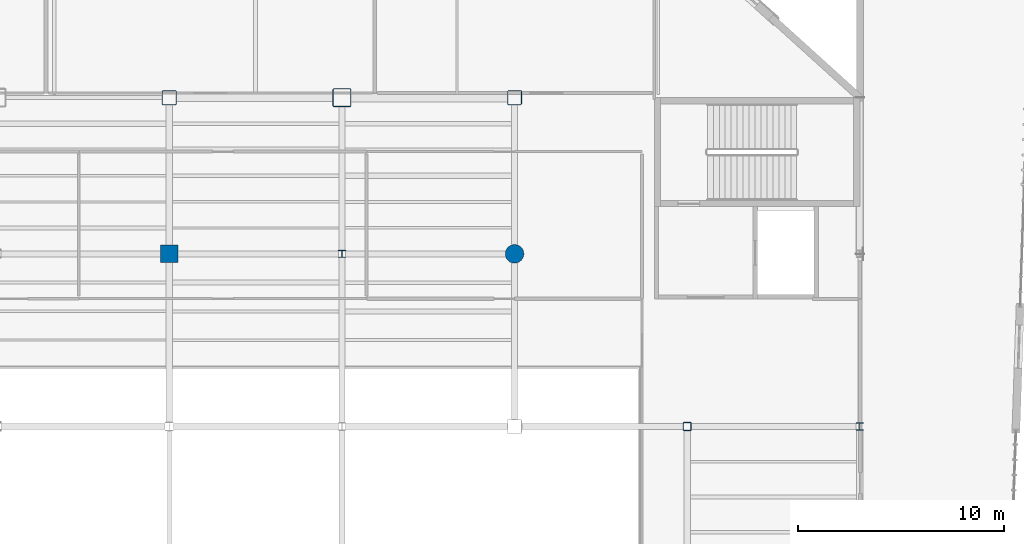
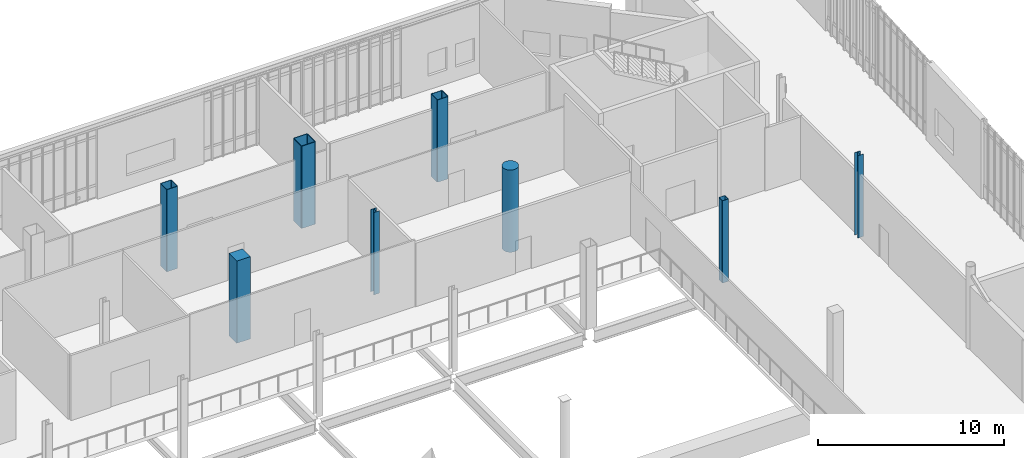
# One storey, part 10 of 127: 8 columns.
"""IFC4 building model written with IfcOpenShell, lengths in metres."""

from ifc_helpers import new_model, si_unit, direction, frame, origin, origin_2d, place, context, subcontext, project, spatial, rectangle, hollow_rectangle, circle, i_section, extrude, material, material_profile, profile_set, type_object, element, save


model = new_model("IFC4")

# Units and contexts
model_context = context("Model", 3, precision=1e-05, world=origin(), true_north=direction((0.0, 1.0)))
body_context = subcontext(model_context, "Body", "Model", "MODEL_VIEW")
ifc_project = project(units=[si_unit("LENGTHUNIT", "METRE"), si_unit("AREAUNIT", "SQUARE_METRE"), si_unit("VOLUMEUNIT", "CUBIC_METRE"), si_unit("PLANEANGLEUNIT", "RADIAN"), si_unit("MASSUNIT", "GRAM", prefix="KILO")], contexts=[model_context])

# Site, building, storey
site_placement = place(None, origin())
site = spatial("IfcSite", under=ifc_project, at=site_placement, CompositionType="ELEMENT")
building_placement = place(site_placement, origin())
building = spatial("IfcBuilding", under=site, at=building_placement, Name="Larkvane Passage Sports Hall", CompositionType="ELEMENT")
storey_placement = place(building_placement, frame((0.0, 0.0, 5.39990234375)))
storey = spatial("IfcBuildingStorey", under=building, at=storey_placement, Name="L01", CompositionType="ELEMENT", Elevation=5.39990234375)

# Columns
ifc_material_1 = material(Name="Concrete C50/60", Category="concrete")
ifc_material_profile_1 = material_profile(ifc_material_1, circle(Radius=0.449951171875, at=origin_2d()), Name="RC-CIR-900")
ifc_profile_set_1 = profile_set([ifc_material_profile_1], Name="Concrete C50/60")
column_type_1 = type_object("IfcColumnType", Name="COL-CIR-900", PredefinedType="COLUMN", material=ifc_profile_set_1)
column_1_placement = place(storey_placement, frame((76.800048828125, 84.0, 0.0), z_axis=(0.0, 0.0, 1.0), x_axis=(1.0, 0.0, 0.0)))
element("IfcColumn", 1, at=column_1_placement, inside=storey, type_object=column_type_1, Name="Column 11/K L01", PredefinedType="COLUMN", context=body_context, shape_type="SweptSolid", body=[
    extrude(circle(Radius=0.449951171875, at=origin_2d()), origin(), (0.0, 0.0, 1.0), 5.400146484375),
])
ifc_material_profile_2 = material_profile(ifc_material_1, rectangle(XDim=0.85009765625, YDim=0.85009765625, at=origin_2d()), Name="RC-COL-850x850")
ifc_profile_set_2 = profile_set([ifc_material_profile_2], Name="Concrete C50/60")
column_type_2 = type_object("IfcColumnType", Name="COL-RC-850", PredefinedType="COLUMN", material=ifc_profile_set_2)
column_2_placement = place(storey_placement, frame((60.0, 84.0, 0.0), z_axis=(0.0, 0.0, 1.0), x_axis=(1.0, 0.0, 0.0)))
element("IfcColumn", 2, at=column_2_placement, inside=storey, type_object=column_type_2, Name="Column 9/K L01", PredefinedType="COLUMN", context=body_context, shape_type="SweptSolid", body=[
    extrude(rectangle(XDim=0.85009765625, YDim=0.85009765625, at=origin_2d()), origin(), (0.0, 0.0, 1.0), 5.400146484375),
])
ifc_material_2 = material(Name="Steel S460N", Category="steel")
ifc_material_profile_3 = material_profile(ifc_material_2, hollow_rectangle(XDim=0.699951171875, YDim=0.699951171875, WallThickness=0.028076171875, InnerFilletRadius=0.028076171875, OuterFilletRadius=0.055908203125, at=origin_2d()), Name="BOX-700x700x28")
ifc_profile_set_3 = profile_set([ifc_material_profile_3], Name="Steel S460N")
column_type_3 = type_object("IfcColumnType", Name="COL-STL-BOX700", PredefinedType="COLUMN", material=ifc_profile_set_3)
for number, where, z_axis, x_axis, name in (
    (3, (60.0, 91.60009765625, 0.0), (0.0, 0.0, 1.0), (1.0, 0.0, 0.0), "Column 9/L L01"),
    (4, (76.800048828125, 91.60009765625, 0.0), (0.0, 0.0, 1.0), (1.0, 0.0, 0.0), "Column 11/L L01"),
):
    element("IfcColumn", number, at=place(storey_placement, frame(where, z_axis=z_axis, x_axis=x_axis)), inside=storey, type_object=column_type_3, Name=name, PredefinedType="COLUMN", context=body_context, shape_type="SweptSolid", body=[
        extrude(hollow_rectangle(XDim=0.699951171875, YDim=0.699951171875, WallThickness=0.028076171875, InnerFilletRadius=0.028076171875, OuterFilletRadius=0.055908203125, at=origin_2d()), origin(), (0.0, 0.0, 1.0), 5.400146484375),
    ])
ifc_material_profile_4 = material_profile(ifc_material_2, hollow_rectangle(XDim=0.89990234375, YDim=0.89990234375, WallThickness=0.035888671875, InnerFilletRadius=0.035888671875, OuterFilletRadius=0.072021484375, at=origin_2d()), Name="BOX-900x900x36")
ifc_profile_set_4 = profile_set([ifc_material_profile_4], Name="Steel S460N")
column_type_4 = type_object("IfcColumnType", Name="COL-STL-BOX900", PredefinedType="COLUMN", material=ifc_profile_set_4)
column_3_placement = place(storey_placement, frame((68.39990234375, 91.60009765625, 0.0), z_axis=(0.0, 0.0, 1.0), x_axis=(1.0, 0.0, 0.0)))
element("IfcColumn", 5, at=column_3_placement, inside=storey, type_object=column_type_4, Name="Column 10/L L01", PredefinedType="COLUMN", context=body_context, shape_type="SweptSolid", body=[
    extrude(hollow_rectangle(XDim=0.89990234375, YDim=0.89990234375, WallThickness=0.035888671875, InnerFilletRadius=0.035888671875, OuterFilletRadius=0.072021484375, at=origin_2d()), origin(), (0.0, 0.0, 1.0), 5.400146484375),
])
ifc_material_3 = material(Name="Steel S355JR", Category="steel")
ifc_material_profile_5 = material_profile(ifc_material_3, i_section(OverallWidth=0.35009765625, OverallDepth=0.35009765625, WebThickness=0.011962890625, FlangeThickness=0.01904296875, FilletRadius=0.012939453125, at=origin_2d()), Name="H-350x350x12x19")
ifc_profile_set_5 = profile_set([ifc_material_profile_5], Name="Steel S355JR")
column_type_5 = type_object("IfcColumnType", Name="COL-STL-H350", PredefinedType="COLUMN", material=ifc_profile_set_5)
for number, where, z_axis, x_axis, name in (
    (6, (68.39990234375, 84.0, 0.0), (0.0, 0.0, 1.0), (1.0, 0.0, 0.0), "Column 10/K L01"),
    (7, (93.60009765625, 75.60009765625, 0.0), (0.0, 0.0, 1.0), (1.0, 0.0, 0.0), "Column 13/J L01"),
):
    element("IfcColumn", number, at=place(storey_placement, frame(where, z_axis=z_axis, x_axis=x_axis)), inside=storey, type_object=column_type_5, Name=name, PredefinedType="COLUMN", context=body_context, shape_type="SweptSolid", body=[
        extrude(i_section(OverallWidth=0.35009765625, OverallDepth=0.35009765625, WebThickness=0.011962890625, FlangeThickness=0.01904296875, FilletRadius=0.012939453125, at=origin_2d()), origin(), (0.0, 0.0, 1.0), 5.400146484375),
    ])
ifc_material_profile_6 = material_profile(ifc_material_2, hollow_rectangle(XDim=0.39990234375, YDim=0.39990234375, WallThickness=0.01904296875, InnerFilletRadius=0.01904296875, OuterFilletRadius=0.0380859375, at=origin_2d()), Name="SHS-400x400x19")
ifc_profile_set_6 = profile_set([ifc_material_profile_6], Name="Steel S460N")
column_type_6 = type_object("IfcColumnType", Name="COL-STL-SHS400", PredefinedType="COLUMN", material=ifc_profile_set_6)
column_4_placement = place(storey_placement, frame((85.199951171875, 75.60009765625, 0.0), z_axis=(0.0, 0.0, 1.0), x_axis=(1.0, 0.0, 0.0)))
element("IfcColumn", 8, at=column_4_placement, inside=storey, type_object=column_type_6, Name="Column 12/J L01", PredefinedType="COLUMN", context=body_context, shape_type="SweptSolid", body=[
    extrude(hollow_rectangle(XDim=0.39990234375, YDim=0.39990234375, WallThickness=0.01904296875, InnerFilletRadius=0.01904296875, OuterFilletRadius=0.0380859375, at=origin_2d()), origin(), (0.0, 0.0, 1.0), 5.400146484375),
])

save(model, "model.ifc")
